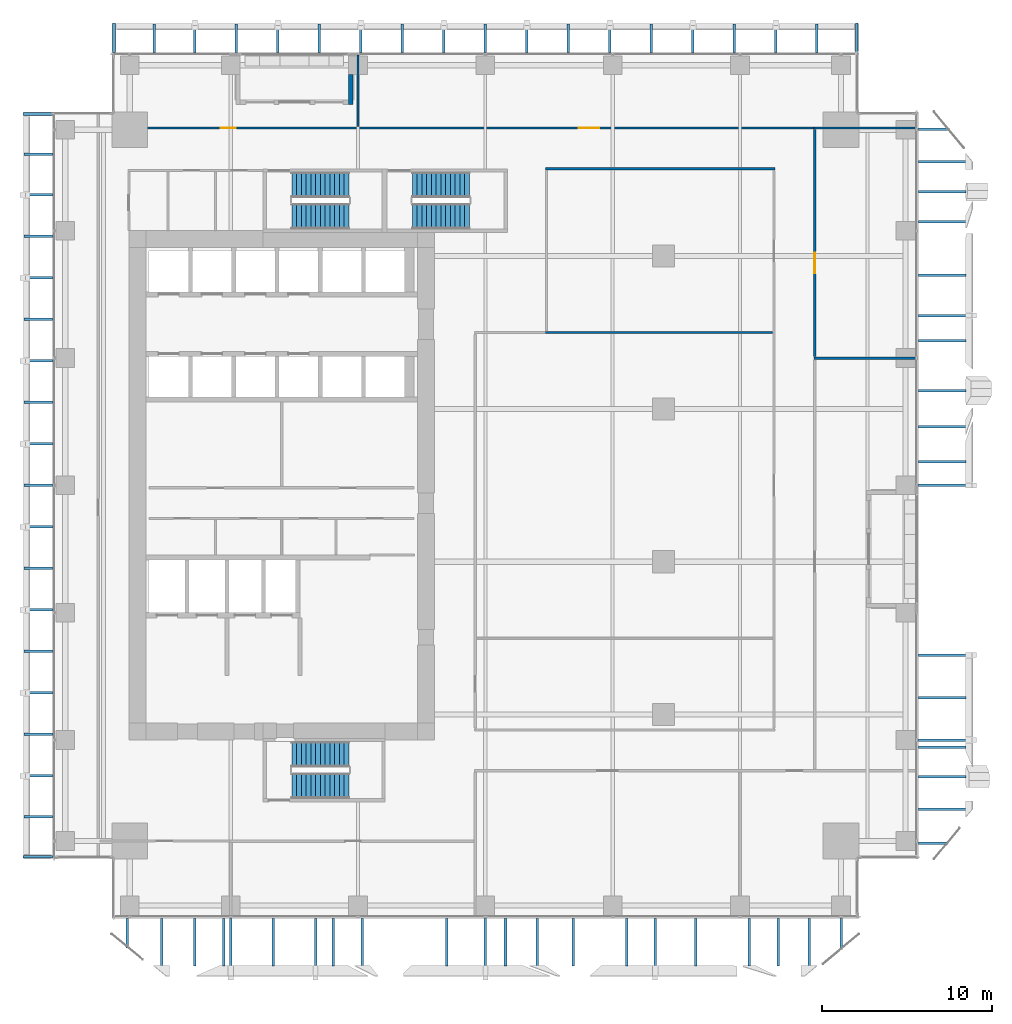
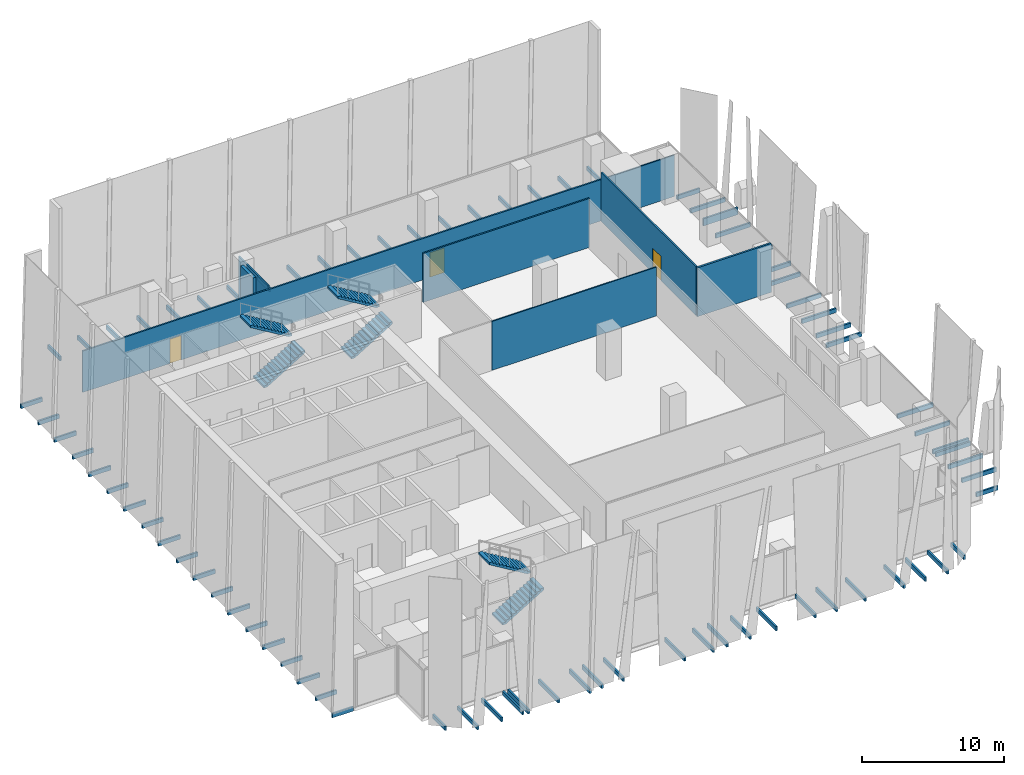
# One storey, part 31 of 36: 77 discrete accessories, 8 walls, 6 stair flights, 3 doors, 3 openings, 3 elements without a shape of their own.
"""IFC4 building model written with IfcOpenShell, lengths in metres."""

import ifcopenshell
import ifcopenshell.guid

model = None  # the IFC model being written
_history = None  # IfcOwnerHistory: only IFC2X3 demands one
_inside = {}  # id of a spatial element -> (the spatial element, [elements in it])
_under = {}  # id of a project, library or spatial element -> (it, [spatial elements below it])
_declared = {}  # id of a project -> (the project, [libraries it declares])
_typed = {}  # id of a type object -> (the type object, [elements of that type])
_made_of = {}  # id of a material, layer set ... -> (it, [elements and type objects made of it])


def new_model(schema):
    """Start an empty IFC model of exactly this schema.

    Asked for "IFC4X3", IfcOpenShell would pick the latest addendum, in which some entities
    have other attributes; the version numbers below select the first issue.
    IFC2X3 requires an IfcOwnerHistory on every rooted entity: one is made here for all.
    """
    global model, _history
    if schema == "IFC4X3":
        model = ifcopenshell.file(schema_version=(4, 3, 0, 0))
    else:
        model = ifcopenshell.file(schema=schema)
    _inside.clear()
    _under.clear()
    _declared.clear()
    _typed.clear()
    _made_of.clear()
    _history = None
    if model.schema == "IFC2X3":
        org = make("IfcOrganization", Name="unknown")
        user = make(
            "IfcPersonAndOrganization",
            ThePerson=make("IfcPerson", FamilyName="unknown"),
            TheOrganization=org,
        )
        app = make(
            "IfcApplication",
            ApplicationDeveloper=org,
            Version="unknown",
            ApplicationFullName="unknown",
            ApplicationIdentifier="unknown",
        )
        _history = make(
            "IfcOwnerHistory",
            OwningUser=user,
            OwningApplication=app,
            ChangeAction="ADDED",
            CreationDate=0,
        )
    return model


def make(cls, **values):
    """One entity of the class cls with the attributes given. An attribute that is None is left unset."""
    return model.create_entity(
        cls, **{name: value for name, value in values.items() if value is not None}
    )


def rooted(cls, **values):
    """An entity with a GlobalId (a new one), such as an element, a storey or a relation."""
    return make(cls, GlobalId=ifcopenshell.guid.new(), OwnerHistory=_history, **values)


def si_unit(unit_type, name, prefix=None):
    """IfcSIUnit, for example si_unit("LENGTHUNIT", "METRE", prefix="MILLI")."""
    return make("IfcSIUnit", UnitType=unit_type, Prefix=prefix, Name=name)


def assignment(units):
    """IfcUnitAssignment: the units of a project."""
    return None if units is None else make("IfcUnitAssignment", Units=units)


def point(xyz):
    """IfcCartesianPoint."""
    return None if xyz is None else make("IfcCartesianPoint", Coordinates=xyz)


def direction(xyz):
    """IfcDirection."""
    return None if xyz is None else make("IfcDirection", DirectionRatios=xyz)


def frame(location, z_axis=None, x_axis=None):
    """IfcAxis2Placement3D, a coordinate frame: its origin and axes. An axis left out is left unset."""
    return make(
        "IfcAxis2Placement3D",
        Location=point(location),
        Axis=direction(z_axis),
        RefDirection=direction(x_axis),
    )


def frame_2d(location, x_axis=None):
    """IfcAxis2Placement2D, a coordinate frame in the plane: its origin and x axis."""
    return make(
        "IfcAxis2Placement2D", Location=point(location), RefDirection=direction(x_axis)
    )


def origin():
    """The frame at (0, 0, 0) with its axes left unset."""
    return frame((0.0, 0.0, 0.0))


def origin_2d():
    """The frame at (0, 0) in the plane with its x axis left unset."""
    return frame_2d((0.0, 0.0))


def place(relative_to, where):
    """IfcLocalPlacement: puts the frame where relative to a parent placement (None: the world)."""
    return make(
        "IfcLocalPlacement", PlacementRelTo=relative_to, RelativePlacement=where
    )


def context(
    kind, dimensions, precision=None, world=None, true_north=None, identifier=None
):
    """IfcGeometricRepresentationContext, for example the 3D "Model" context."""
    return make(
        "IfcGeometricRepresentationContext",
        ContextIdentifier=identifier,
        ContextType=kind,
        CoordinateSpaceDimension=dimensions,
        Precision=precision,
        WorldCoordinateSystem=world,
        TrueNorth=true_north,
    )


def subcontext(parent, identifier, kind, view, scale=None):
    """IfcGeometricRepresentationSubContext, for example "Body" below "Model"."""
    return make(
        "IfcGeometricRepresentationSubContext",
        ContextIdentifier=identifier,
        ContextType=kind,
        ParentContext=parent,
        TargetScale=scale,
        TargetView=view,
    )


def project(units=None, contexts=None):
    """IfcProject with its units and contexts."""
    return rooted(
        "IfcProject",
        Name="project",
        RepresentationContexts=contexts,
        UnitsInContext=assignment(units),
    )


def spatial(cls, under=None, at=None, **own):
    """A site, building, storey or space (cls), placed at a placement, below another one or the project."""
    s = rooted(cls, ObjectPlacement=at, **own)
    if under is not None:
        _under.setdefault(under.id(), (under, []))[1].append(s)
    return s


def polyline(points):
    """IfcPolyline through the points."""
    return make("IfcPolyline", Points=[point(p) for p in points])


def profile(cls, at=None, kind="AREA", **sizes):
    """A parametric profile (cls). Its sizes go by their IFC names, for example OverallWidth=200.0."""
    return make(cls, ProfileType=kind, Position=at, **sizes)


def rectangle(**sizes):
    """IfcRectangleProfileDef."""
    return profile("IfcRectangleProfileDef", **sizes)


def outline(outer, holes=None, kind="AREA"):
    """IfcArbitraryClosedProfileDef: a profile drawn as a closed curve; with holes, ...WithVoids."""
    if holes is None:
        return make("IfcArbitraryClosedProfileDef", ProfileType=kind, OuterCurve=outer)
    return make(
        "IfcArbitraryProfileDefWithVoids",
        ProfileType=kind,
        OuterCurve=outer,
        InnerCurves=holes,
    )


def extrude(swept, where, along, depth):
    """IfcExtrudedAreaSolid: the profile swept, set in the frame where, extruded along a direction by depth."""
    return make(
        "IfcExtrudedAreaSolid",
        SweptArea=swept,
        Position=where,
        ExtrudedDirection=direction(along),
        Depth=depth,
    )


def shape(context_of_items, identifier, shape_type, items):
    """IfcShapeRepresentation: the items that make up one representation, for example the "Body"."""
    return make(
        "IfcShapeRepresentation",
        ContextOfItems=context_of_items,
        RepresentationIdentifier=identifier,
        RepresentationType=shape_type,
        Items=items,
    )


def source(mapping_origin, context_of_items, identifier, shape_type, items):
    """IfcRepresentationMap: a shape defined once, which mapped items show again and again."""
    return make(
        "IfcRepresentationMap",
        MappingOrigin=mapping_origin,
        MappedRepresentation=shape(context_of_items, identifier, shape_type, items),
    )


def transform(
    local_origin,
    x_axis=None,
    y_axis=None,
    z_axis=None,
    scale=None,
    scale2=None,
    scale3=None,
    uniform=True,
):
    """IfcCartesianTransformationOperator3D, or its non-uniform kind. x_axis, y_axis, z_axis: its Axis1, 2, 3."""
    if uniform:
        return make(
            "IfcCartesianTransformationOperator3D",
            Axis1=direction(x_axis),
            Axis2=direction(y_axis),
            LocalOrigin=point(local_origin),
            Scale=scale,
            Axis3=direction(z_axis),
        )
    return make(
        "IfcCartesianTransformationOperator3DnonUniform",
        Axis1=direction(x_axis),
        Axis2=direction(y_axis),
        LocalOrigin=point(local_origin),
        Scale=scale,
        Axis3=direction(z_axis),
        Scale2=scale2,
        Scale3=scale3,
    )


def mapped(mapping_source, mapping_target):
    """IfcMappedItem: shows the shape of a source again, moved by a transform."""
    return make(
        "IfcMappedItem", MappingSource=mapping_source, MappingTarget=mapping_target
    )


def material(Name=None, Category=None):
    """IfcMaterial."""
    return make("IfcMaterial", Name=Name, Category=Category)


def layer(
    of_material, thickness, ventilated=None, Name=None, Category=None, Priority=None
):
    """IfcMaterialLayer: one layer of a wall or slab, of a material (None: an air gap)."""
    return make(
        "IfcMaterialLayer",
        Material=of_material,
        LayerThickness=thickness,
        IsVentilated=ventilated,
        Name=Name,
        Category=Category,
        Priority=Priority,
    )


def layer_set(layers, Name=None):
    """IfcMaterialLayerSet."""
    return make("IfcMaterialLayerSet", MaterialLayers=layers, LayerSetName=Name)


def made_of(thing, what):
    """Note that an element or type object is made of a material, layer set ...; save() writes the relation."""
    if what is not None:
        _made_of.setdefault(what.id(), (what, []))[1].append(thing)
    return thing


def type_object(cls, material=None, **own):
    """A type object (cls), such as IfcWallType, which elements share."""
    return made_of(rooted(cls, **own), material)


def element(
    cls,
    number,
    at=None,
    inside=None,
    cuts=None,
    type_object=None,
    material=None,
    context=None,
    identifier="Body",
    shape_type=None,
    held_by="IfcProductDefinitionShape",
    body=None,
    shapes=None,
    **own,
):
    """One element of the class cls, such as IfcWall. Its Tag is "e" and its number.

    at: its placement. inside: the storey or other place that contains it. cuts: it is an
    opening in that element (IfcRelVoidsElement). A single representation is given by context,
    identifier, shape_type and body (its items); several are given by shapes. held_by: the class
    of the entity that holds the representations. save() writes the other relations.
    """
    e = rooted(cls, Tag="e%d" % number, ObjectPlacement=at, **own)
    if body is not None:
        shapes = [shape(context, identifier, shape_type, body)]
    if shapes is not None:
        e.Representation = make(held_by, Representations=shapes)
    if inside is not None:
        _inside.setdefault(inside.id(), (inside, []))[1].append(e)
    if cuts is not None:
        rooted(
            "IfcRelVoidsElement", RelatingBuildingElement=cuts, RelatedOpeningElement=e
        )
    if type_object is not None:
        _typed.setdefault(type_object.id(), (type_object, []))[1].append(e)
    return made_of(e, material)


def fill(opening, filler):
    """IfcRelFillsElement: the door or window that sits in an opening."""
    return rooted(
        "IfcRelFillsElement",
        RelatingOpeningElement=opening,
        RelatedBuildingElement=filler,
    )


def aggregate(whole, parts):
    """IfcRelAggregates: a whole, such as a stair, and the parts it consists of."""
    return rooted("IfcRelAggregates", RelatingObject=whole, RelatedObjects=parts)


def save(model, path):
    """Write the relations noted so far, then the file.

    IfcRelAggregates (storeys below a building ...), IfcRelContainedInSpatialStructure (elements
    in a storey), IfcRelDefinesByType, IfcRelAssociatesMaterial and IfcRelDeclares: one each for
    every whole, place, type object, material and project.
    """
    for whole, parts in _under.values():
        aggregate(whole, parts)
    for where, things in _inside.values():
        rooted(
            "IfcRelContainedInSpatialStructure",
            RelatedElements=things,
            RelatingStructure=where,
        )
    for kind, things in _typed.values():
        rooted("IfcRelDefinesByType", RelatedObjects=things, RelatingType=kind)
    for what, things in _made_of.values():
        rooted("IfcRelAssociatesMaterial", RelatedObjects=things, RelatingMaterial=what)
    for by, libraries in _declared.values():
        rooted("IfcRelDeclares", RelatingContext=by, RelatedDefinitions=libraries)
    model.write(path)


model = new_model("IFC4")

# Units and contexts
model_context = context("Model", 3, precision=1e-05, world=origin(), true_north=direction((0.0, 1.0)))
body_context = subcontext(model_context, "Body", "Model", "MODEL_VIEW")
ifc_project = project(units=[si_unit("LENGTHUNIT", "METRE"), si_unit("AREAUNIT", "SQUARE_METRE"), si_unit("VOLUMEUNIT", "CUBIC_METRE"), si_unit("PLANEANGLEUNIT", "RADIAN"), si_unit("MASSUNIT", "GRAM", prefix="KILO")], contexts=[model_context])

# Site, building, storey
site_placement = place(None, origin())
site = spatial("IfcSite", under=ifc_project, at=site_placement, CompositionType="ELEMENT")
building_placement = place(site_placement, origin())
building = spatial("IfcBuilding", under=site, at=building_placement, Name="Khomas Fold Tower", CompositionType="ELEMENT")
storey_placement = place(building_placement, frame((0.0, 0.0, 141.10009765625)))
storey = spatial("IfcBuildingStorey", under=building, at=storey_placement, Name="L30", CompositionType="ELEMENT", Elevation=141.10009765625)

# Walls
ifc_material_1 = material(Name="Natural stone", Category="masonry")
ifc_layer_1 = layer(ifc_material_1, 0.0400390625)
ifc_material_2 = material(Name="Mineral wool insulation", Category="insulation")
ifc_layer_2 = layer(ifc_material_2, 0.10009765625)
ifc_material_3 = material(Name="Masonry", Category="masonry")
ifc_layer_3 = layer(ifc_material_3, 0.110107421875)
ifc_layer_set_1 = layer_set([ifc_layer_1, ifc_layer_2, ifc_layer_3], Name="Stone-faced insulated masonry")
wall_type_1 = type_object("IfcWallType", Name="BL-Balcony wall", PredefinedType="SOLIDWALL", material=ifc_layer_set_1)
shared_shape_1 = source(origin(), body_context, "Body", "SweptSolid", [
    extrude(rectangle(XDim=1.75, YDim=0.25, at=frame_2d((0.875, 0.0))), origin(), (0.0, 0.0, 1.0), 3.7998046875),
])
wall_1_placement = place(storey_placement, frame((19.074951171875, 51.199951171875, 0.0), z_axis=(0.0, 0.0, 1.0), x_axis=(0.0, -1.0, 0.0)))
element("IfcWall", 1, at=wall_1_placement, inside=storey, type_object=wall_type_1, Name="Balcony return wall BAL-L30-N1-hi", PredefinedType="SOLIDWALL", context=body_context, shape_type="MappedRepresentation", body=[
    mapped(shared_shape_1, transform((0.0, 0.0, 0.0))),
])
ifc_material_4 = material(Name="Plasterboard partition")
ifc_layer_4 = layer(ifc_material_4, 0.10009765625)
ifc_layer_set_2 = layer_set([ifc_layer_4], Name="Plasterboard partition")
wall_type_2 = type_object("IfcWallType", Name="Partition PW1 100", PredefinedType="PARTITIONING", material=ifc_layer_set_2)
shared_shape_2 = source(origin(), body_context, "Body", "SweptSolid", [
    extrude(rectangle(XDim=13.349853515625, YDim=0.10009765625, at=frame_2d((6.6748046875, 0.0))), origin(), (0.0, 0.0, 1.0), 4.199951171875),
])
wall_2_placement = place(storey_placement, frame((30.550048828125, 36.0, 0.0), z_axis=(0.0, 0.0, 1.0), x_axis=(1.0, 0.0, 0.0)))
element("IfcWall", 2, at=wall_2_placement, inside=storey, type_object=wall_type_2, Name="Partition", PredefinedType="PARTITIONING", context=body_context, shape_type="MappedRepresentation", body=[
    mapped(shared_shape_2, transform((0.0, 0.0, 0.0))),
])
ifc_material_5 = material(Name="Plasterboard partition")
ifc_layer_5 = layer(ifc_material_5, 0.125)
ifc_layer_set_3 = layer_set([ifc_layer_5], Name="Plasterboard partition")
wall_type_3 = type_object("IfcWallType", Name="Partition PW2 125", PredefinedType="PARTITIONING", material=ifc_layer_set_3)
shared_shape_3 = source(origin(), body_context, "Body", "SweptSolid", [
    extrude(rectangle(XDim=13.5, YDim=0.125, at=frame_2d((6.75, 0.0))), origin(), (0.0, 0.0, 1.0), 4.199951171875),
])
wall_3_placement = place(storey_placement, frame((30.550048828125, 45.64990234375, 0.0), z_axis=(0.0, 0.0, 1.0), x_axis=(1.0, 0.0, 0.0)))
element("IfcWall", 3, at=wall_3_placement, inside=storey, type_object=wall_type_3, Name="Partition", PredefinedType="PARTITIONING", context=body_context, shape_type="MappedRepresentation", body=[
    mapped(shared_shape_3, transform((0.0, 0.0, 0.0))),
])
shared_shape_4 = source(origin(), body_context, "Body", "SweptSolid", [
    extrude(rectangle(XDim=4.2001953125, YDim=0.10009765625, at=frame_2d((2.10009765625, 0.0))), origin(), (0.0, 0.0, 1.0), 3.77001953125),
])
wall_4_placement = place(storey_placement, frame((19.5, 48.14990234375, 0.0), z_axis=(0.0, 0.0, 1.0), x_axis=(0.0, 1.0, 0.0)))
element("IfcWall", 4, at=wall_4_placement, inside=storey, type_object=wall_type_2, Name="Partition", PredefinedType="PARTITIONING", context=body_context, shape_type="MappedRepresentation", body=[
    mapped(shared_shape_4, transform((0.0, 0.0, 0.0))),
])
shared_shape_5 = source(origin(), body_context, "Body", "SweptSolid", [
    extrude(rectangle(XDim=6.0, YDim=0.10009765625, at=frame_2d((3.0, 0.0))), origin(), (0.0, 0.0, 1.0), 3.5498046875),
])
wall_5_placement = place(storey_placement, frame((46.35009765625, 48.050048828125, 0.0), z_axis=(0.0, 0.0, 1.0), x_axis=(1.0, 0.0, 0.0)))
element("IfcWall", 5, at=wall_5_placement, inside=storey, type_object=wall_type_2, Name="Partition", PredefinedType="PARTITIONING", context=body_context, shape_type="MappedRepresentation", body=[
    mapped(shared_shape_5, transform((0.0, 0.0, 0.0))),
])
ifc_material_6 = material(Name="Plasterboard fire partition")
ifc_layer_6 = layer(ifc_material_6, 0.14990234375)
ifc_layer_set_4 = layer_set([ifc_layer_6], Name="Plasterboard fire partition")
wall_type_4 = type_object("IfcWallType", Name="Plant room wall PW3 150", PredefinedType="PARTITIONING", material=ifc_layer_set_4)
shared_shape_6 = source(origin(), body_context, "Body", "SweptSolid", [
    extrude(rectangle(XDim=6.0, YDim=0.14990234375, at=frame_2d((3.0, 0.0))), origin(), (0.0, 0.0, 1.0), 4.199951171875),
])
wall_6_placement = place(storey_placement, frame((46.35009765625, 34.5, 0.0), z_axis=(0.0, 0.0, 1.0), x_axis=(1.0, 0.0, 0.0)))
element("IfcWall", 6, at=wall_6_placement, inside=storey, type_object=wall_type_4, Name="Plant room wall", PredefinedType="PARTITIONING", context=body_context, shape_type="MappedRepresentation", body=[
    mapped(shared_shape_6, transform((0.0, 0.0, 0.0))),
])

# Wall, opening, door
shared_shape_7 = source(origin(), body_context, "Body", "SweptSolid", [
    extrude(rectangle(XDim=13.349853515625, YDim=0.125, at=frame_2d((6.6748046875, 0.0))), origin(), (0.0, 0.0, 1.0), 4.199951171875),
])
wall_7_placement = place(storey_placement, frame((46.39990234375, 34.60009765625, 0.0), z_axis=(0.0, 0.0, 1.0), x_axis=(0.0, 1.0, 0.0)))
wall_7 = element("IfcWall", 7, at=wall_7_placement, inside=storey, type_object=wall_type_3, Name="Partition", PredefinedType="PARTITIONING", context=body_context, shape_type="MappedRepresentation", body=[
    mapped(shared_shape_7, transform((0.0, 0.0, 0.0))),
])
shared_shape_8 = source(origin(), body_context, "Body", "SweptSolid", [
    extrude(rectangle(XDim=1.199951171875, YDim=2.10009765625, at=frame_2d((0.60009765625, 1.050048828125))), frame((0.0, 0.072509765625, 0.0), z_axis=(0.0, -1.0, 0.0), x_axis=(1.0, 0.0, 0.0)), (0.0, 0.0, 1.0), 0.14501953125),
])
opening_1_placement = place(wall_7_placement, frame((4.89990234375, 0.0, 0.0)))
opening_1 = element("IfcOpeningElement", 8, at=opening_1_placement, cuts=wall_7, Name="Opening 0013", PredefinedType="OPENING", context=body_context, shape_type="MappedRepresentation", body=[
    mapped(shared_shape_8, transform((0.0, 0.0, 0.0))),
])
ifc_material_7 = material(Name="Timber door leaf", Category="wood")
door_type_1 = type_object("IfcDoorType", Name="Door 1200x2100 left-hand", OperationType="SINGLE_SWING_LEFT", PredefinedType="DOOR", material=ifc_material_7)
shared_shape_9 = source(origin(), body_context, "Body", "SweptSolid", [
    extrude(rectangle(XDim=1.199951171875, YDim=2.10009765625, at=frame_2d((0.60009765625, 1.050048828125))), frame((0.0, 0.02490234375, 0.0), z_axis=(0.0, -1.0, 0.0), x_axis=(1.0, 0.0, 0.0)), (0.0, 0.0, 1.0), 0.050048828125),
])
door_1_placement = place(opening_1_placement, origin())
door_1 = element("IfcDoor", 9, at=door_1_placement, inside=storey, type_object=door_type_1, Name="Door", OperationType="SINGLE_SWING_LEFT", OverallHeight=2.10009765625, OverallWidth=1.199951171875, PredefinedType="DOOR", context=body_context, shape_type="MappedRepresentation", body=[
    mapped(shared_shape_9, transform((0.0, 0.0, 0.0))),
])
fill(opening_1, door_1)

# Wall, openings, doors
shared_shape_10 = source(origin(), body_context, "Body", "SweptSolid", [
    extrude(rectangle(XDim=42.050048828125, YDim=0.125, at=frame_2d((21.02490234375, 0.0))), origin(), (0.0, 0.0, 1.0), 3.5498046875),
])
wall_8_placement = place(storey_placement, frame((4.300048828125, 48.050048828125, 0.0), z_axis=(0.0, 0.0, 1.0), x_axis=(1.0, 0.0, 0.0)))
wall_8 = element("IfcWall", 10, at=wall_8_placement, inside=storey, type_object=wall_type_3, Name="Partition", PredefinedType="PARTITIONING", context=body_context, shape_type="MappedRepresentation", body=[
    mapped(shared_shape_10, transform((0.0, 0.0, 0.0))),
])
shared_shape_11 = source(origin(), body_context, "Body", "SweptSolid", [
    extrude(rectangle(XDim=0.89990234375, YDim=2.10009765625, at=frame_2d((0.449951171875, 1.050048828125))), frame((0.0, 0.072509765625, 0.0), z_axis=(0.0, -1.0, 0.0), x_axis=(1.0, 0.0, 0.0)), (0.0, 0.0, 1.0), 0.14501953125),
])
opening_2_placement = place(wall_8_placement, frame((7.10009765625, 0.0, 0.0)))
opening_2 = element("IfcOpeningElement", 11, at=opening_2_placement, cuts=wall_8, Name="Opening 0008", PredefinedType="OPENING", context=body_context, shape_type="MappedRepresentation", body=[
    mapped(shared_shape_11, transform((0.0, 0.0, 0.0))),
])
opening_3_placement = place(wall_8_placement, frame((28.199951171875, 0.0, 0.0)))
opening_3 = element("IfcOpeningElement", 12, at=opening_3_placement, cuts=wall_8, Name="Opening 0013", PredefinedType="OPENING", context=body_context, shape_type="MappedRepresentation", body=[
    mapped(shared_shape_8, transform((0.0, 0.0, 0.0))),
])
ifc_material_8 = material(Name="Timber door leaf", Category="wood")
door_type_2 = type_object("IfcDoorType", Name="Door 900x2100 right-hand", OperationType="SINGLE_SWING_RIGHT", PredefinedType="DOOR", material=ifc_material_8)
shared_shape_12 = source(origin(), body_context, "Body", "SweptSolid", [
    extrude(rectangle(XDim=0.89990234375, YDim=2.10009765625, at=frame_2d((0.449951171875, 1.050048828125))), frame((0.0, 0.02490234375, 0.0), z_axis=(0.0, -1.0, 0.0), x_axis=(1.0, 0.0, 0.0)), (0.0, 0.0, 1.0), 0.050048828125),
])
door_2_placement = place(opening_2_placement, origin())
door_2 = element("IfcDoor", 13, at=door_2_placement, inside=storey, type_object=door_type_2, Name="Door", OperationType="SINGLE_SWING_RIGHT", OverallHeight=2.10009765625, OverallWidth=0.89990234375, PredefinedType="DOOR", context=body_context, shape_type="MappedRepresentation", body=[
    mapped(shared_shape_12, transform((0.0, 0.0, 0.0))),
])
fill(opening_2, door_2)
door_3_placement = place(opening_3_placement, origin())
door_3 = element("IfcDoor", 14, at=door_3_placement, inside=storey, type_object=door_type_1, Name="Door", OperationType="SINGLE_SWING_LEFT", OverallHeight=2.10009765625, OverallWidth=1.199951171875, PredefinedType="DOOR", context=body_context, shape_type="MappedRepresentation", body=[
    mapped(shared_shape_9, transform((0.0, 0.0, 0.0))),
])
fill(opening_3, door_3)

# Stair, stair flights
ifc_material_9 = material(Name="Concrete C40/50", Category="concrete")
stair_type_1 = type_object("IfcStairType", Name="Stair ST1", PredefinedType="HALF_TURN_STAIR", material=ifc_material_9)
stair_1_placement = place(storey_placement, origin())
stair_1 = element("IfcStair", 15, at=stair_1_placement, inside=storey, type_object=stair_type_1, Name="L30 ST1", PredefinedType="HALF_TURN_STAIR")
ifc_material_10 = material(Name="Concrete C40/50", Category="concrete")
stair_flight_type_1 = type_object("IfcStairFlightType", Name="Stair flight 1500 ST1", PredefinedType="STRAIGHT", material=ifc_material_10)
shared_shape_13 = source(origin(), body_context, "Body", "SweptSolid", [
    extrude(outline(polyline([(0.0, 0.0), (0.0, 0.012939453125), (0.0, 0.026123046875), (0.0, 0.0390625), (0.0, 0.052001953125), (0.0, 0.065185546875), (0.0, 0.078125), (0.0, 0.091064453125), (0.0, 0.104248046875), (0.0, 0.1171875), (0.0, 0.130126953125), (0.0, 0.143310546875), (0.0, 0.15625), (0.0, 0.169189453125), (0.280029296875, 0.169189453125), (0.280029296875, 0.33837890625), (0.56005859375, 0.33837890625), (0.56005859375, 0.5078125), (0.840087890625, 0.5078125), (0.840087890625, 0.677001953125), (1.1201171875, 0.677001953125), (1.1201171875, 0.84619140625), (1.39990234375, 0.84619140625), (1.39990234375, 1.015380859375), (1.679931640625, 1.015380859375), (1.679931640625, 1.1845703125), (1.9599609375, 1.1845703125), (1.9599609375, 1.353759765625), (2.239990234375, 1.353759765625), (2.239990234375, 1.523193359375), (2.52001953125, 1.523193359375), (2.52001953125, 1.6923828125), (2.800048828125, 1.6923828125), (2.800048828125, 1.861572265625), (3.080078125, 1.861572265625), (3.080078125, 2.03076171875), (3.360107421875, 2.03076171875), (3.360107421875, 2.199951171875), (3.360107421875, 2.173583984375), (3.360107421875, 2.14697265625), (3.360107421875, 2.12060546875), (3.360107421875, 2.093994140625), (3.360107421875, 2.067626953125), (3.360107421875, 2.041015625), (3.360107421875, 2.0146484375), (3.360107421875, 1.988037109375), (3.360107421875, 1.961669921875), (3.360107421875, 1.93505859375), (3.360107421875, 1.90869140625), (3.360107421875, 1.882080078125), (3.360107421875, 1.855712890625), (0.289794921875, 0.0), (0.0, 0.0)])), frame((0.0, 0.75, 0.0), z_axis=(0.0, -1.0, 0.0), x_axis=(1.0, 0.0, 0.0)), (0.0, 0.0, 1.0), 1.5),
])
stair_flight_1_placement = place(storey_placement, frame((15.60009765625, 42.85009765625, 0.0), z_axis=(0.0, 0.0, 1.0), x_axis=(1.0, 0.0, 0.0)))
stair_flight_1 = element("IfcStairFlight", 16, at=stair_flight_1_placement, type_object=stair_flight_type_1, Name="ST1 flight 1", NumberOfRisers=13, NumberOfTreads=12, PredefinedType="STRAIGHT", RiserHeight=0.169230769, TreadLength=0.28, context=body_context, shape_type="MappedRepresentation", body=[
    mapped(shared_shape_13, transform((0.0, 0.0, 0.0))),
])
stair_flight_2_placement = place(storey_placement, frame((18.9599609375, 44.699951171875, 2.199951171875), z_axis=(0.0, 0.0, 1.0), x_axis=(-1.0, 0.0, 0.0)))
stair_flight_2 = element("IfcStairFlight", 17, at=stair_flight_2_placement, type_object=stair_flight_type_1, Name="ST1 flight 2", NumberOfRisers=13, NumberOfTreads=12, PredefinedType="STRAIGHT", RiserHeight=0.169230769, TreadLength=0.28, context=body_context, shape_type="MappedRepresentation", body=[
    mapped(shared_shape_13, transform((0.0, 0.0, 0.0))),
])
aggregate(stair_1, [stair_flight_1, stair_flight_2])

ifc_material_11 = material(Name="Concrete C40/50", Category="concrete")
stair_type_2 = type_object("IfcStairType", Name="Stair ST2", PredefinedType="HALF_TURN_STAIR", material=ifc_material_11)
stair_2_placement = place(storey_placement, origin())
stair_2 = element("IfcStair", 18, at=stair_2_placement, inside=storey, type_object=stair_type_2, Name="L30 ST2", PredefinedType="HALF_TURN_STAIR")
ifc_material_12 = material(Name="Concrete C40/50", Category="concrete")
stair_flight_type_2 = type_object("IfcStairFlightType", Name="Stair flight 1500 ST2", PredefinedType="STRAIGHT", material=ifc_material_12)
stair_flight_3_placement = place(storey_placement, frame((15.60009765625, 9.300048828125, 0.0), z_axis=(0.0, 0.0, 1.0), x_axis=(1.0, 0.0, 0.0)))
stair_flight_3 = element("IfcStairFlight", 19, at=stair_flight_3_placement, type_object=stair_flight_type_2, Name="ST2 flight 1", NumberOfRisers=13, NumberOfTreads=12, PredefinedType="STRAIGHT", RiserHeight=0.169230769, TreadLength=0.28, context=body_context, shape_type="MappedRepresentation", body=[
    mapped(shared_shape_13, transform((0.0, 0.0, 0.0))),
])
stair_flight_4_placement = place(storey_placement, frame((18.9599609375, 11.14990234375, 2.199951171875), z_axis=(0.0, 0.0, 1.0), x_axis=(-1.0, 0.0, 0.0)))
stair_flight_4 = element("IfcStairFlight", 20, at=stair_flight_4_placement, type_object=stair_flight_type_2, Name="ST2 flight 2", NumberOfRisers=13, NumberOfTreads=12, PredefinedType="STRAIGHT", RiserHeight=0.169230769, TreadLength=0.28, context=body_context, shape_type="MappedRepresentation", body=[
    mapped(shared_shape_13, transform((0.0, 0.0, 0.0))),
])
aggregate(stair_2, [stair_flight_3, stair_flight_4])

ifc_material_13 = material(Name="Concrete C40/50", Category="concrete")
stair_type_3 = type_object("IfcStairType", Name="Stair ST3", PredefinedType="HALF_TURN_STAIR", material=ifc_material_13)
stair_3_placement = place(storey_placement, origin())
stair_3 = element("IfcStair", 21, at=stair_3_placement, inside=storey, type_object=stair_type_3, Name="L30 ST3", PredefinedType="HALF_TURN_STAIR")
ifc_material_14 = material(Name="Concrete C40/50", Category="concrete")
stair_flight_type_3 = type_object("IfcStairFlightType", Name="Stair flight 1500 ST3", PredefinedType="STRAIGHT", material=ifc_material_14)
stair_flight_5_placement = place(storey_placement, frame((22.699951171875, 42.85009765625, 0.0), z_axis=(0.0, 0.0, 1.0), x_axis=(1.0, 0.0, 0.0)))
stair_flight_5 = element("IfcStairFlight", 22, at=stair_flight_5_placement, type_object=stair_flight_type_3, Name="ST3 flight 1", NumberOfRisers=13, NumberOfTreads=12, PredefinedType="STRAIGHT", RiserHeight=0.169230769, TreadLength=0.28, context=body_context, shape_type="MappedRepresentation", body=[
    mapped(shared_shape_13, transform((0.0, 0.0, 0.0))),
])
stair_flight_6_placement = place(storey_placement, frame((26.06005859375, 44.699951171875, 2.199951171875), z_axis=(0.0, 0.0, 1.0), x_axis=(-1.0, 0.0, 0.0)))
stair_flight_6 = element("IfcStairFlight", 23, at=stair_flight_6_placement, type_object=stair_flight_type_3, Name="ST3 flight 2", NumberOfRisers=13, NumberOfTreads=12, PredefinedType="STRAIGHT", RiserHeight=0.169230769, TreadLength=0.28, context=body_context, shape_type="MappedRepresentation", body=[
    mapped(shared_shape_13, transform((0.0, 0.0, 0.0))),
])
aggregate(stair_3, [stair_flight_5, stair_flight_6])

# Discrete accessories
ifc_material_15 = material(Name="Stainless steel", Category="steel")
discrete_accessory_type = type_object("IfcDiscreteAccessoryType", Name="SK-Stainless steel stone bracket", PredefinedType="BRACKET", material=ifc_material_15)
shared_shape_14 = source(origin(), body_context, "Body", "SweptSolid", [
    extrude(rectangle(XDim=2.80615234375, YDim=0.14990234375, at=origin_2d()), origin(), (0.0, 0.0, 1.0), 0.360107421875),
])
for number, where, z_axis, x_axis, name in (
    (24, (9.873779296875, 0.096923828125, -0.30029296875), (0.0, 0.0, 1.0), (0.0, -1.0, 0.0), "Stone bracket L30 SS03-1-2"),
    (25, (32.1689453125, 0.096923828125, -0.30029296875), (0.0, 0.0, 1.0), (0.0, -1.0, 0.0), "Stone bracket L30 SS09-3-2"),
    (26, (44.25341796875, 0.096923828125, -0.30029296875), (0.0, 0.0, 1.0), (0.0, -1.0, 0.0), "Stone bracket L30 SS12-4-2"),
    (27, (53.903076171875, 9.844482421875, -0.30029296875), (0.0, 0.0, 1.0), (1.0, 0.0, 0.0), "Stone bracket L30 ES03-1-1"),
    (28, (53.903076171875, 32.5732421875, -0.30029296875), (0.0, 0.0, 1.0), (1.0, 0.0, 0.0), "Stone bracket L30 ES09-2-1"),
    (29, (7.927978515625, 0.096923828125, -0.30029296875), (0.0, 0.0, 1.0), (0.0, -1.0, 0.0), "Stone bracket L30 SG099-1-1"),
    (30, (19.751708984375, 0.096923828125, -0.30029296875), (0.0, 0.0, 1.0), (0.0, -1.0, 0.0), "Stone bracket L30 SG101-3-1"),
    (31, (11.587158203125, 0.096923828125, -0.30029296875), (0.0, 0.0, 1.0), (0.0, -1.0, 0.0), "Stone bracket L30 SG099-4-1"),
    (32, (14.5, 0.096923828125, -0.30029296875), (0.0, 0.0, 1.0), (0.0, -1.0, 0.0), "Stone bracket L30 SG100-6-1"),
    (33, (18.0361328125, 0.096923828125, -0.30029296875), (0.0, 0.0, 1.0), (0.0, -1.0, 0.0), "Stone bracket L30 SG101-8-1"),
    (34, (30.05126953125, 0.096923828125, -0.30029296875), (0.0, 0.0, 1.0), (0.0, -1.0, 0.0), "Stone bracket L30 SG103-9-1"),
    (35, (24.735595703125, 0.096923828125, -0.30029296875), (0.0, 0.0, 1.0), (0.0, -1.0, 0.0), "Stone bracket L30 SG102-10-1"),
    (36, (28.18603515625, 0.096923828125, -0.30029296875), (0.0, 0.0, 1.0), (0.0, -1.0, 0.0), "Stone bracket L30 SG103-12-1"),
    (37, (42.5400390625, 0.096923828125, -0.30029296875), (0.0, 0.0, 1.0), (0.0, -1.0, 0.0), "Stone bracket L30 SG106-13-1"),
    (38, (35.3310546875, 0.096923828125, -0.30029296875), (0.0, 0.0, 1.0), (0.0, -1.0, 0.0), "Stone bracket L30 SG104-14-1"),
    (39, (39.3876953125, 0.096923828125, -0.30029296875), (0.0, 0.0, 1.0), (0.0, -1.0, 0.0), "Stone bracket L30 SG105-16-1"),
    (40, (46.072021484375, 0.096923828125, -0.30029296875), (0.0, 0.0, 1.0), (0.0, -1.0, 0.0), "Stone bracket L30 SG106-17-1"),
    (41, (53.903076171875, 7.927978515625, -0.30029296875), (0.0, 0.0, 1.0), (1.0, 0.0, 0.0), "Stone bracket L30 EG099-1-1"),
    (42, (53.903076171875, 11.587158203125, -0.30029296875), (0.0, 0.0, 1.0), (1.0, 0.0, 0.0), "Stone bracket L30 EG099-3-1"),
    (43, (53.903076171875, 14.5, -0.30029296875), (0.0, 0.0, 1.0), (1.0, 0.0, 0.0), "Stone bracket L30 EG100-5-1"),
    (44, (53.903076171875, 30.445556640625, -0.30029296875), (0.0, 0.0, 1.0), (1.0, 0.0, 0.0), "Stone bracket L30 EG103-7-1"),
    (45, (53.903076171875, 28.383056640625, -0.30029296875), (0.0, 0.0, 1.0), (1.0, 0.0, 0.0), "Stone bracket L30 EG103-9-1"),
    (46, (53.903076171875, 42.5400390625, -0.30029296875), (0.0, 0.0, 1.0), (1.0, 0.0, 0.0), "Stone bracket L30 EG106-10-1"),
    (47, (53.903076171875, 35.528076171875, -0.30029296875), (0.0, 0.0, 1.0), (1.0, 0.0, 0.0), "Stone bracket L30 EG104-11-1"),
    (48, (53.903076171875, 39.3876953125, -0.30029296875), (0.0, 0.0, 1.0), (1.0, 0.0, 0.0), "Stone bracket L30 EG105-13-1"),
    (49, (53.903076171875, 46.072021484375, -0.30029296875), (0.0, 0.0, 1.0), (1.0, 0.0, 0.0), "Stone bracket L30 EG106-14-1"),
):
    element("IfcDiscreteAccessory", number, at=place(storey_placement, frame(where, z_axis=z_axis, x_axis=x_axis)), inside=storey, type_object=discrete_accessory_type, Name=name, PredefinedType="BRACKET", context=body_context, shape_type="MappedRepresentation", body=[
        mapped(shared_shape_14, transform((0.0, 0.0, 0.0))),
    ])
shared_shape_15 = source(origin(), body_context, "Body", "SweptSolid", [
    extrude(rectangle(XDim=2.818115234375, YDim=0.14990234375, at=origin_2d()), origin(), (0.0, 0.0, 1.0), 0.610107421875),
])
discrete_accessory_placement = place(storey_placement, frame((53.908935546875, 44.291259765625, -0.30029296875), z_axis=(0.0, 0.0, 1.0), x_axis=(1.0, 0.0, 0.0)))
element("IfcDiscreteAccessory", 50, at=discrete_accessory_placement, inside=storey, type_object=discrete_accessory_type, Name="Stone bracket L30 ES12-3-1", PredefinedType="BRACKET", context=body_context, shape_type="MappedRepresentation", body=[
    mapped(shared_shape_15, transform((0.0, 0.0, 0.0))),
])
shared_shape_16 = source(origin(), body_context, "Body", "SweptSolid", [
    extrude(rectangle(XDim=1.75, YDim=0.14990234375, at=origin_2d()), origin(), (0.0, 0.0, 1.0), 0.360107421875),
])
for number, where, z_axis, x_axis, name in (
    (51, (5.9150390625, 0.625, -0.30029296875), (0.0, 0.0, 1.0), (0.0, -1.0, 0.0), "Stone bracket L30 SG098-2-1"),
    (52, (53.375, 5.9150390625, -0.30029296875), (0.0, 0.0, 1.0), (1.0, 0.0, 0.0), "Stone bracket L30 EG098-2-1"),
):
    element("IfcDiscreteAccessory", number, at=place(storey_placement, frame(where, z_axis=z_axis, x_axis=x_axis)), inside=storey, type_object=discrete_accessory_type, Name=name, PredefinedType="BRACKET", context=body_context, shape_type="MappedRepresentation", body=[
        mapped(shared_shape_16, transform((0.0, 0.0, 0.0))),
    ])
shared_shape_17 = source(origin(), body_context, "Body", "SweptSolid", [
    extrude(rectangle(XDim=2.901123046875, YDim=0.14990234375, at=origin_2d()), origin(), (0.0, 0.0, 1.0), 0.360107421875),
])
for number, where, z_axis, x_axis, name in (
    (53, (12.0, 0.04931640625, -0.30029296875), (0.0, 0.0, 1.0), (0.0, -1.0, 0.0), "Stone bracket L30 SM100-5-1"),
    (54, (17.0, 0.04931640625, -0.30029296875), (0.0, 0.0, 1.0), (0.0, -1.0, 0.0), "Stone bracket L30 SM101-7-1"),
    (55, (27.0, 0.04931640625, -0.30029296875), (0.0, 0.0, 1.0), (0.0, -1.0, 0.0), "Stone bracket L30 SM103-11-1"),
    (56, (37.0, 0.04931640625, -0.30029296875), (0.0, 0.0, 1.0), (0.0, -1.0, 0.0), "Stone bracket L30 SM105-15-1"),
    (57, (53.95068359375, 12.0, -0.30029296875), (0.0, 0.0, 1.0), (1.0, 0.0, 0.0), "Stone bracket L30 EM100-4-1"),
    (58, (53.95068359375, 17.0, -0.30029296875), (0.0, 0.0, 1.0), (1.0, 0.0, 0.0), "Stone bracket L30 EM101-6-1"),
    (59, (53.95068359375, 27.0, -0.30029296875), (0.0, 0.0, 1.0), (1.0, 0.0, 0.0), "Stone bracket L30 EM103-8-1"),
    (60, (53.95068359375, 37.0, -0.30029296875), (0.0, 0.0, 1.0), (1.0, 0.0, 0.0), "Stone bracket L30 EM105-12-1"),
):
    element("IfcDiscreteAccessory", number, at=place(storey_placement, frame(where, z_axis=z_axis, x_axis=x_axis)), inside=storey, type_object=discrete_accessory_type, Name=name, PredefinedType="BRACKET", context=body_context, shape_type="MappedRepresentation", body=[
        mapped(shared_shape_17, transform((0.0, 0.0, 0.0))),
    ])
shared_shape_18 = source(origin(), body_context, "Body", "SweptSolid", [
    extrude(rectangle(XDim=1.845458984375, YDim=0.14990234375, at=origin_2d()), origin(), (0.0, 0.0, 1.0), 0.360107421875),
])
for number, where, z_axis, x_axis, name in (
    (61, (47.97021484375, 0.5771484375, -0.30029296875), (0.0, 0.0, 1.0), (0.0, -1.0, 0.0), "Stone bracket L30 SG107-18-1"),
    (62, (53.4228515625, 47.97021484375, -0.30029296875), (0.0, 0.0, 1.0), (1.0, 0.0, 0.0), "Stone bracket L30 EG107-15-1"),
):
    element("IfcDiscreteAccessory", number, at=place(storey_placement, frame(where, z_axis=z_axis, x_axis=x_axis)), inside=storey, type_object=discrete_accessory_type, Name=name, PredefinedType="BRACKET", context=body_context, shape_type="MappedRepresentation", body=[
        mapped(shared_shape_18, transform((0.0, 0.0, 0.0))),
    ])
shared_shape_19 = source(origin(), body_context, "Body", "SweptSolid", [
    extrude(rectangle(XDim=1.687255859375, YDim=0.14990234375, at=origin_2d()), origin(), (0.0, 0.0, 1.0), 0.360107421875),
])
for number, where, z_axis, x_axis, name in (
    (63, (7.494384765625, 53.343505859375, -0.30029296875), (0.0, 0.0, 1.0), (0.0, 1.0, 0.0), "Stone bracket L30 PLNG01"),
    (64, (12.333251953125, 53.343505859375, -0.30029296875), (0.0, 0.0, 1.0), (0.0, 1.0, 0.0), "Stone bracket L30 PLNG03"),
    (65, (17.22216796875, 53.343505859375, -0.30029296875), (0.0, 0.0, 1.0), (0.0, 1.0, 0.0), "Stone bracket L30 PLNG05"),
    (66, (22.111083984375, 53.343505859375, -0.30029296875), (0.0, 0.0, 1.0), (0.0, 1.0, 0.0), "Stone bracket L30 PLNG07"),
    (67, (27.0, 53.343505859375, -0.30029296875), (0.0, 0.0, 1.0), (0.0, 1.0, 0.0), "Stone bracket L30 PLNG09"),
    (68, (31.888916015625, 53.343505859375, -0.30029296875), (0.0, 0.0, 1.0), (0.0, 1.0, 0.0), "Stone bracket L30 PLNG11"),
    (69, (36.77783203125, 53.343505859375, -0.30029296875), (0.0, 0.0, 1.0), (0.0, 1.0, 0.0), "Stone bracket L30 PLNG13"),
    (70, (41.666748046875, 53.343505859375, -0.30029296875), (0.0, 0.0, 1.0), (0.0, 1.0, 0.0), "Stone bracket L30 PLNG15"),
    (71, (46.505615234375, 53.343505859375, -0.30029296875), (0.0, 0.0, 1.0), (0.0, 1.0, 0.0), "Stone bracket L30 PLNG17"),
    (72, (0.656494140625, 7.494384765625, -0.30029296875), (0.0, 0.0, 1.0), (-1.0, 0.0, 0.0), "Stone bracket L30 PLWG01"),
    (73, (0.656494140625, 12.333251953125, -0.30029296875), (0.0, 0.0, 1.0), (-1.0, 0.0, 0.0), "Stone bracket L30 PLWG03"),
    (74, (0.656494140625, 17.22216796875, -0.30029296875), (0.0, 0.0, 1.0), (-1.0, 0.0, 0.0), "Stone bracket L30 PLWG05"),
    (75, (0.656494140625, 22.111083984375, -0.30029296875), (0.0, 0.0, 1.0), (-1.0, 0.0, 0.0), "Stone bracket L30 PLWG07"),
    (76, (0.656494140625, 27.0, -0.30029296875), (0.0, 0.0, 1.0), (-1.0, 0.0, 0.0), "Stone bracket L30 PLWG09"),
    (77, (0.656494140625, 31.888916015625, -0.30029296875), (0.0, 0.0, 1.0), (-1.0, 0.0, 0.0), "Stone bracket L30 PLWG11"),
    (78, (0.656494140625, 36.77783203125, -0.30029296875), (0.0, 0.0, 1.0), (-1.0, 0.0, 0.0), "Stone bracket L30 PLWG13"),
    (79, (0.656494140625, 41.666748046875, -0.30029296875), (0.0, 0.0, 1.0), (-1.0, 0.0, 0.0), "Stone bracket L30 PLWG15"),
    (80, (0.656494140625, 46.505615234375, -0.30029296875), (0.0, 0.0, 1.0), (-1.0, 0.0, 0.0), "Stone bracket L30 PLWG17"),
):
    element("IfcDiscreteAccessory", number, at=place(storey_placement, frame(where, z_axis=z_axis, x_axis=x_axis)), inside=storey, type_object=discrete_accessory_type, Name=name, PredefinedType="BRACKET", context=body_context, shape_type="MappedRepresentation", body=[
        mapped(shared_shape_19, transform((0.0, 0.0, 0.0))),
    ])
shared_shape_20 = source(origin(), body_context, "Body", "SweptSolid", [
    extrude(rectangle(XDim=1.7822265625, YDim=0.14990234375, at=origin_2d()), origin(), (0.0, 0.0, 1.0), 0.360107421875),
])
for number, where, z_axis, x_axis, name in (
    (81, (9.888916015625, 53.39111328125, -0.30029296875), (0.0, 0.0, 1.0), (0.0, 1.0, 0.0), "Stone bracket L30 PLNM02"),
    (82, (14.77783203125, 53.39111328125, -0.30029296875), (0.0, 0.0, 1.0), (0.0, 1.0, 0.0), "Stone bracket L30 PLNM04"),
    (83, (19.666748046875, 53.39111328125, -0.30029296875), (0.0, 0.0, 1.0), (0.0, 1.0, 0.0), "Stone bracket L30 PLNM06"),
    (84, (24.5556640625, 53.39111328125, -0.30029296875), (0.0, 0.0, 1.0), (0.0, 1.0, 0.0), "Stone bracket L30 PLNM08"),
    (85, (29.4443359375, 53.39111328125, -0.30029296875), (0.0, 0.0, 1.0), (0.0, 1.0, 0.0), "Stone bracket L30 PLNM10"),
    (86, (34.333251953125, 53.39111328125, -0.30029296875), (0.0, 0.0, 1.0), (0.0, 1.0, 0.0), "Stone bracket L30 PLNM12"),
    (87, (39.22216796875, 53.39111328125, -0.30029296875), (0.0, 0.0, 1.0), (0.0, 1.0, 0.0), "Stone bracket L30 PLNM14"),
    (88, (44.111083984375, 53.39111328125, -0.30029296875), (0.0, 0.0, 1.0), (0.0, 1.0, 0.0), "Stone bracket L30 PLNM16"),
    (89, (0.60888671875, 9.888916015625, -0.30029296875), (0.0, 0.0, 1.0), (-1.0, 0.0, 0.0), "Stone bracket L30 PLWM02"),
    (90, (0.60888671875, 14.77783203125, -0.30029296875), (0.0, 0.0, 1.0), (-1.0, 0.0, 0.0), "Stone bracket L30 PLWM04"),
    (91, (0.60888671875, 19.666748046875, -0.30029296875), (0.0, 0.0, 1.0), (-1.0, 0.0, 0.0), "Stone bracket L30 PLWM06"),
    (92, (0.60888671875, 24.5556640625, -0.30029296875), (0.0, 0.0, 1.0), (-1.0, 0.0, 0.0), "Stone bracket L30 PLWM08"),
    (93, (0.60888671875, 29.4443359375, -0.30029296875), (0.0, 0.0, 1.0), (-1.0, 0.0, 0.0), "Stone bracket L30 PLWM10"),
    (94, (0.60888671875, 34.333251953125, -0.30029296875), (0.0, 0.0, 1.0), (-1.0, 0.0, 0.0), "Stone bracket L30 PLWM12"),
    (95, (0.60888671875, 39.22216796875, -0.30029296875), (0.0, 0.0, 1.0), (-1.0, 0.0, 0.0), "Stone bracket L30 PLWM14"),
    (96, (0.60888671875, 44.111083984375, -0.30029296875), (0.0, 0.0, 1.0), (-1.0, 0.0, 0.0), "Stone bracket L30 PLWM16"),
):
    element("IfcDiscreteAccessory", number, at=place(storey_placement, frame(where, z_axis=z_axis, x_axis=x_axis)), inside=storey, type_object=discrete_accessory_type, Name=name, PredefinedType="BRACKET", context=body_context, shape_type="MappedRepresentation", body=[
        mapped(shared_shape_20, transform((0.0, 0.0, 0.0))),
    ])
shared_shape_21 = source(origin(), body_context, "Body", "SweptSolid", [
    extrude(rectangle(XDim=1.727294921875, YDim=0.14990234375, at=origin_2d()), origin(), (0.0, 0.0, 1.0), 0.360107421875),
])
for number, where, z_axis, x_axis, name in (
    (97, (5.125, 53.363525390625, -0.30029296875), (0.0, 0.0, 1.0), (0.0, 1.0, 0.0), "Stone bracket L30 PLNR1"),
    (98, (48.875, 53.363525390625, -0.30029296875), (0.0, 0.0, 1.0), (0.0, 1.0, 0.0), "Stone bracket L30 PLNR2"),
    (99, (0.636474609375, 5.125, -0.30029296875), (0.0, 0.0, 1.0), (-1.0, 0.0, 0.0), "Stone bracket L30 PLWR1"),
    (100, (0.636474609375, 48.875, -0.30029296875), (0.0, 0.0, 1.0), (-1.0, 0.0, 0.0), "Stone bracket L30 PLWR2"),
):
    element("IfcDiscreteAccessory", number, at=place(storey_placement, frame(where, z_axis=z_axis, x_axis=x_axis)), inside=storey, type_object=discrete_accessory_type, Name=name, PredefinedType="BRACKET", context=body_context, shape_type="MappedRepresentation", body=[
        mapped(shared_shape_21, transform((0.0, 0.0, 0.0))),
    ])

save(model, "model.ifc")
